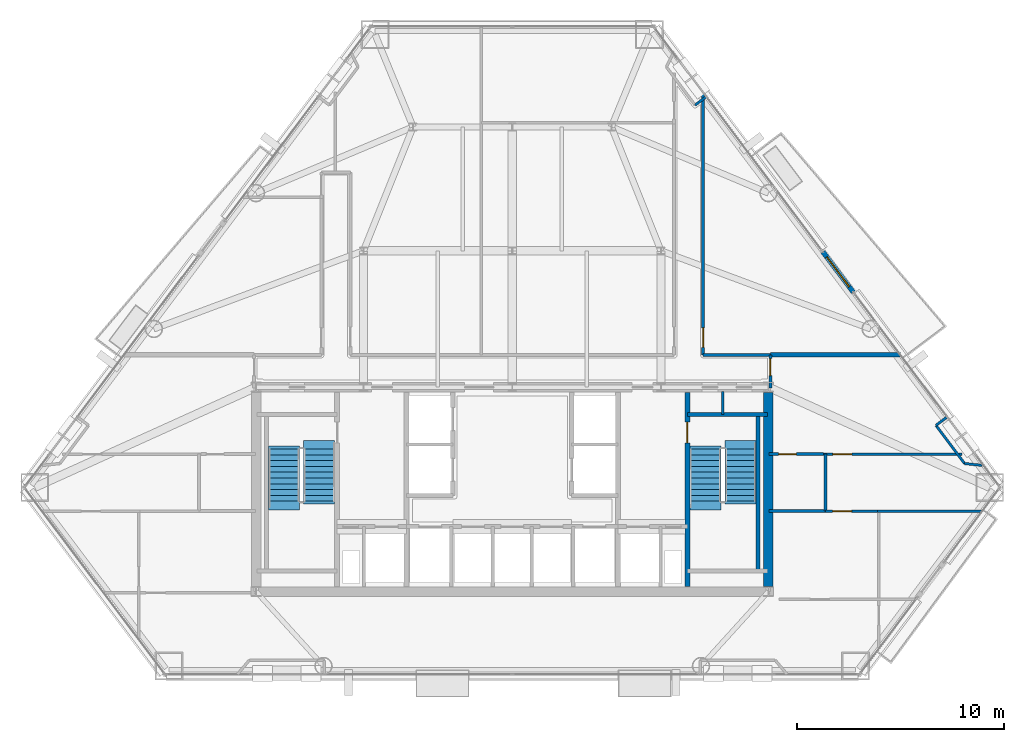
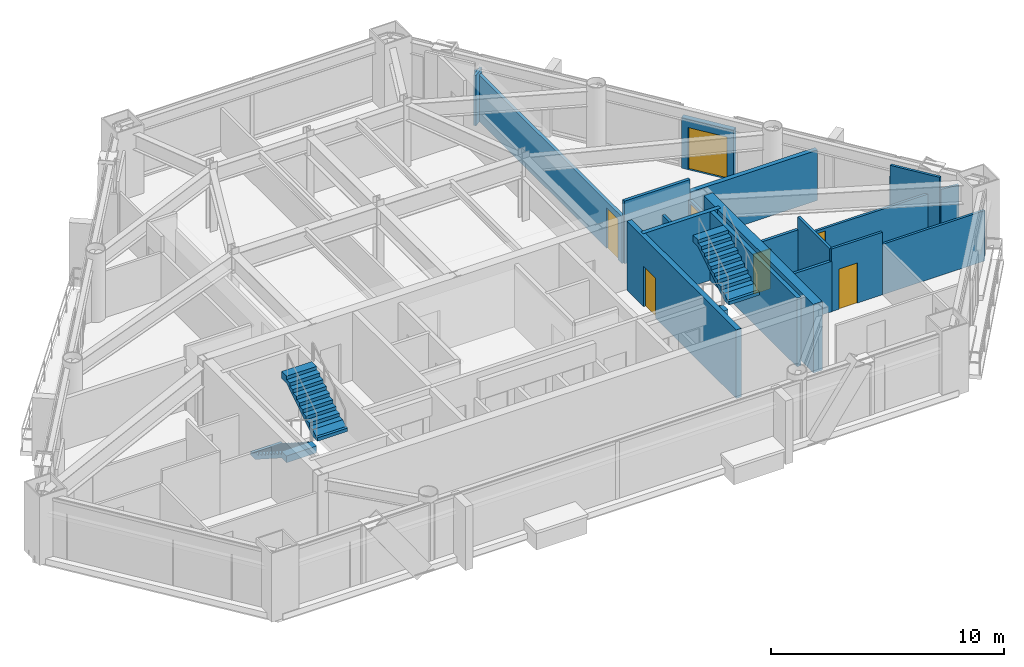
# One storey, part 8 of 10: 20 walls, 7 doors, 4 stair flights, 7 openings, 2 elements without a shape of their own.
"""IFC4 building model written with IfcOpenShell, lengths in metres."""

import ifcopenshell
import ifcopenshell.guid

model = None  # the IFC model being written
_history = None  # IfcOwnerHistory: only IFC2X3 demands one
_inside = {}  # id of a spatial element -> (the spatial element, [elements in it])
_under = {}  # id of a project, library or spatial element -> (it, [spatial elements below it])
_declared = {}  # id of a project -> (the project, [libraries it declares])
_typed = {}  # id of a type object -> (the type object, [elements of that type])
_made_of = {}  # id of a material, layer set ... -> (it, [elements and type objects made of it])


def new_model(schema):
    """Start an empty IFC model of exactly this schema.

    Asked for "IFC4X3", IfcOpenShell would pick the latest addendum, in which some entities
    have other attributes; the version numbers below select the first issue.
    IFC2X3 requires an IfcOwnerHistory on every rooted entity: one is made here for all.
    """
    global model, _history
    if schema == "IFC4X3":
        model = ifcopenshell.file(schema_version=(4, 3, 0, 0))
    else:
        model = ifcopenshell.file(schema=schema)
    _inside.clear()
    _under.clear()
    _declared.clear()
    _typed.clear()
    _made_of.clear()
    _history = None
    if model.schema == "IFC2X3":
        org = make("IfcOrganization", Name="unknown")
        user = make(
            "IfcPersonAndOrganization",
            ThePerson=make("IfcPerson", FamilyName="unknown"),
            TheOrganization=org,
        )
        app = make(
            "IfcApplication",
            ApplicationDeveloper=org,
            Version="unknown",
            ApplicationFullName="unknown",
            ApplicationIdentifier="unknown",
        )
        _history = make(
            "IfcOwnerHistory",
            OwningUser=user,
            OwningApplication=app,
            ChangeAction="ADDED",
            CreationDate=0,
        )
    return model


def make(cls, **values):
    """One entity of the class cls with the attributes given. An attribute that is None is left unset."""
    return model.create_entity(
        cls, **{name: value for name, value in values.items() if value is not None}
    )


def rooted(cls, **values):
    """An entity with a GlobalId (a new one), such as an element, a storey or a relation."""
    return make(cls, GlobalId=ifcopenshell.guid.new(), OwnerHistory=_history, **values)


def si_unit(unit_type, name, prefix=None):
    """IfcSIUnit, for example si_unit("LENGTHUNIT", "METRE", prefix="MILLI")."""
    return make("IfcSIUnit", UnitType=unit_type, Prefix=prefix, Name=name)


def assignment(units):
    """IfcUnitAssignment: the units of a project."""
    return None if units is None else make("IfcUnitAssignment", Units=units)


def point(xyz):
    """IfcCartesianPoint."""
    return None if xyz is None else make("IfcCartesianPoint", Coordinates=xyz)


def direction(xyz):
    """IfcDirection."""
    return None if xyz is None else make("IfcDirection", DirectionRatios=xyz)


def frame(location, z_axis=None, x_axis=None):
    """IfcAxis2Placement3D, a coordinate frame: its origin and axes. An axis left out is left unset."""
    return make(
        "IfcAxis2Placement3D",
        Location=point(location),
        Axis=direction(z_axis),
        RefDirection=direction(x_axis),
    )


def frame_2d(location, x_axis=None):
    """IfcAxis2Placement2D, a coordinate frame in the plane: its origin and x axis."""
    return make(
        "IfcAxis2Placement2D", Location=point(location), RefDirection=direction(x_axis)
    )


def origin():
    """The frame at (0, 0, 0) with its axes left unset."""
    return frame((0.0, 0.0, 0.0))


def place(relative_to, where):
    """IfcLocalPlacement: puts the frame where relative to a parent placement (None: the world)."""
    return make(
        "IfcLocalPlacement", PlacementRelTo=relative_to, RelativePlacement=where
    )


def context(
    kind, dimensions, precision=None, world=None, true_north=None, identifier=None
):
    """IfcGeometricRepresentationContext, for example the 3D "Model" context."""
    return make(
        "IfcGeometricRepresentationContext",
        ContextIdentifier=identifier,
        ContextType=kind,
        CoordinateSpaceDimension=dimensions,
        Precision=precision,
        WorldCoordinateSystem=world,
        TrueNorth=true_north,
    )


def subcontext(parent, identifier, kind, view, scale=None):
    """IfcGeometricRepresentationSubContext, for example "Body" below "Model"."""
    return make(
        "IfcGeometricRepresentationSubContext",
        ContextIdentifier=identifier,
        ContextType=kind,
        ParentContext=parent,
        TargetScale=scale,
        TargetView=view,
    )


def project(units=None, contexts=None):
    """IfcProject with its units and contexts."""
    return rooted(
        "IfcProject",
        Name="project",
        RepresentationContexts=contexts,
        UnitsInContext=assignment(units),
    )


def spatial(cls, under=None, at=None, **own):
    """A site, building, storey or space (cls), placed at a placement, below another one or the project."""
    s = rooted(cls, ObjectPlacement=at, **own)
    if under is not None:
        _under.setdefault(under.id(), (under, []))[1].append(s)
    return s


def polyline(points):
    """IfcPolyline through the points."""
    return make("IfcPolyline", Points=[point(p) for p in points])


def profile(cls, at=None, kind="AREA", **sizes):
    """A parametric profile (cls). Its sizes go by their IFC names, for example OverallWidth=200.0."""
    return make(cls, ProfileType=kind, Position=at, **sizes)


def rectangle(**sizes):
    """IfcRectangleProfileDef."""
    return profile("IfcRectangleProfileDef", **sizes)


def outline(outer, holes=None, kind="AREA"):
    """IfcArbitraryClosedProfileDef: a profile drawn as a closed curve; with holes, ...WithVoids."""
    if holes is None:
        return make("IfcArbitraryClosedProfileDef", ProfileType=kind, OuterCurve=outer)
    return make(
        "IfcArbitraryProfileDefWithVoids",
        ProfileType=kind,
        OuterCurve=outer,
        InnerCurves=holes,
    )


def extrude(swept, where, along, depth):
    """IfcExtrudedAreaSolid: the profile swept, set in the frame where, extruded along a direction by depth."""
    return make(
        "IfcExtrudedAreaSolid",
        SweptArea=swept,
        Position=where,
        ExtrudedDirection=direction(along),
        Depth=depth,
    )


def shape(context_of_items, identifier, shape_type, items):
    """IfcShapeRepresentation: the items that make up one representation, for example the "Body"."""
    return make(
        "IfcShapeRepresentation",
        ContextOfItems=context_of_items,
        RepresentationIdentifier=identifier,
        RepresentationType=shape_type,
        Items=items,
    )


def material(Name=None, Category=None):
    """IfcMaterial."""
    return make("IfcMaterial", Name=Name, Category=Category)


def layer(
    of_material, thickness, ventilated=None, Name=None, Category=None, Priority=None
):
    """IfcMaterialLayer: one layer of a wall or slab, of a material (None: an air gap)."""
    return make(
        "IfcMaterialLayer",
        Material=of_material,
        LayerThickness=thickness,
        IsVentilated=ventilated,
        Name=Name,
        Category=Category,
        Priority=Priority,
    )


def layer_set(layers, Name=None):
    """IfcMaterialLayerSet."""
    return make("IfcMaterialLayerSet", MaterialLayers=layers, LayerSetName=Name)


def made_of(thing, what):
    """Note that an element or type object is made of a material, layer set ...; save() writes the relation."""
    if what is not None:
        _made_of.setdefault(what.id(), (what, []))[1].append(thing)
    return thing


def type_object(cls, material=None, **own):
    """A type object (cls), such as IfcWallType, which elements share."""
    return made_of(rooted(cls, **own), material)


def element(
    cls,
    number,
    at=None,
    inside=None,
    cuts=None,
    type_object=None,
    material=None,
    context=None,
    identifier="Body",
    shape_type=None,
    held_by="IfcProductDefinitionShape",
    body=None,
    shapes=None,
    **own,
):
    """One element of the class cls, such as IfcWall. Its Tag is "e" and its number.

    at: its placement. inside: the storey or other place that contains it. cuts: it is an
    opening in that element (IfcRelVoidsElement). A single representation is given by context,
    identifier, shape_type and body (its items); several are given by shapes. held_by: the class
    of the entity that holds the representations. save() writes the other relations.
    """
    e = rooted(cls, Tag="e%d" % number, ObjectPlacement=at, **own)
    if body is not None:
        shapes = [shape(context, identifier, shape_type, body)]
    if shapes is not None:
        e.Representation = make(held_by, Representations=shapes)
    if inside is not None:
        _inside.setdefault(inside.id(), (inside, []))[1].append(e)
    if cuts is not None:
        rooted(
            "IfcRelVoidsElement", RelatingBuildingElement=cuts, RelatedOpeningElement=e
        )
    if type_object is not None:
        _typed.setdefault(type_object.id(), (type_object, []))[1].append(e)
    return made_of(e, material)


def fill(opening, filler):
    """IfcRelFillsElement: the door or window that sits in an opening."""
    return rooted(
        "IfcRelFillsElement",
        RelatingOpeningElement=opening,
        RelatedBuildingElement=filler,
    )


def aggregate(whole, parts):
    """IfcRelAggregates: a whole, such as a stair, and the parts it consists of."""
    return rooted("IfcRelAggregates", RelatingObject=whole, RelatedObjects=parts)


def save(model, path):
    """Write the relations noted so far, then the file.

    IfcRelAggregates (storeys below a building ...), IfcRelContainedInSpatialStructure (elements
    in a storey), IfcRelDefinesByType, IfcRelAssociatesMaterial and IfcRelDeclares: one each for
    every whole, place, type object, material and project.
    """
    for whole, parts in _under.values():
        aggregate(whole, parts)
    for where, things in _inside.values():
        rooted(
            "IfcRelContainedInSpatialStructure",
            RelatedElements=things,
            RelatingStructure=where,
        )
    for kind, things in _typed.values():
        rooted("IfcRelDefinesByType", RelatedObjects=things, RelatingType=kind)
    for what, things in _made_of.values():
        rooted("IfcRelAssociatesMaterial", RelatedObjects=things, RelatingMaterial=what)
    for by, libraries in _declared.values():
        rooted("IfcRelDeclares", RelatingContext=by, RelatedDefinitions=libraries)
    model.write(path)


model = new_model("IFC4")

# Units and contexts
model_context = context("Model", 3, precision=1e-05, world=origin(), true_north=direction((0.0, 1.0)))
body_context = subcontext(model_context, "Body", "Model", "MODEL_VIEW")
ifc_project = project(units=[si_unit("LENGTHUNIT", "METRE"), si_unit("AREAUNIT", "SQUARE_METRE"), si_unit("VOLUMEUNIT", "CUBIC_METRE"), si_unit("PLANEANGLEUNIT", "RADIAN"), si_unit("MASSUNIT", "GRAM", prefix="KILO")], contexts=[model_context])

# Site, building, storey
site_placement = place(None, origin())
site = spatial("IfcSite", under=ifc_project, at=site_placement, CompositionType="ELEMENT")
building_placement = place(site_placement, origin())
building = spatial("IfcBuilding", under=site, at=building_placement, Name="Talgorran Terracotta Tower", CompositionType="ELEMENT")
storey_placement = place(building_placement, frame((0.0, 0.0, 86.39990234375)))
storey = spatial("IfcBuildingStorey", under=building, at=storey_placement, Name="L22", CompositionType="ELEMENT", Elevation=86.39990234375)

# Wall, opening, door
ifc_material_1 = material(Name="Concrete C40/50", Category="concrete")
ifc_layer_1 = layer(ifc_material_1, 0.239990234375, Name="WT_BALCONY_SPAND")
ifc_layer_set_1 = layer_set([ifc_layer_1], Name="Concrete C40/50")
wall_type_1 = type_object("IfcWallType", Name="WT_BALCONY_SPAND", PredefinedType="STANDARD", material=ifc_layer_set_1)
wall_1_placement = place(storey_placement, frame((16.5078125, 0.4052734375, -0.014892578125), z_axis=(0.0, 0.0, 1.0), x_axis=(-0.601008208177, 0.799242850268, 0.0)))
wall_1 = element("IfcWall", 1, at=wall_1_placement, inside=storey, type_object=wall_type_1, Name="WL-L22-BALP-BAL-NE", PredefinedType="STANDARD", context=body_context, shape_type="SweptSolid", body=[
    extrude(rectangle(XDim=2.439697265625, YDim=0.239990234375, at=frame_2d((1.2197265625, 0.0))), origin(), (0.0, 0.0, 1.0), 2.658447265625),
])
opening_1_placement = place(wall_1_placement, frame((0.320068359375, 0.0, 0.014892578125)))
opening_1 = element("IfcOpeningElement", 2, at=opening_1_placement, cuts=wall_1, Name="Opening D-BAL-L22-1", PredefinedType="OPENING", context=body_context, shape_type="SweptSolid", body=[
    extrude(rectangle(XDim=1.806048828125, YDim=2.203951171875, at=frame_2d((0.89990234375, 1.10205078125))), frame((0.0, 0.1298828125, 0.0), z_axis=(0.0, -1.0, 0.0), x_axis=(1.0, 0.0, 0.0)), (0.0, 0.0, 1.0), 0.260009765625),
])
ifc_material_2 = material(Name="Thermally Broken Aluminium", Category="aluminium")
door_type_1 = type_object("IfcDoorType", Name="DT_BALC_1800", OperationType="SLIDING_TO_LEFT", PredefinedType="DOOR", material=ifc_material_2)
door_1_placement = place(opening_1_placement, origin())
door_1 = element("IfcDoor", 3, at=door_1_placement, inside=storey, type_object=door_type_1, Name="DR-L22-BAL-BAL-NE", OperationType="SLIDING_TO_LEFT", OverallHeight=2.199951171875, OverallWidth=1.800048828125, PredefinedType="DOOR", context=body_context, shape_type="SweptSolid", body=[
    extrude(rectangle(XDim=1.800048828125, YDim=2.199951171875, at=frame_2d((0.89990234375, 1.10009765625))), frame((0.0, 0.02490234375, 0.0), z_axis=(0.0, -1.0, 0.0), x_axis=(1.0, 0.0, 0.0)), (0.0, 0.0, 1.0), 0.050048828125),
])
fill(opening_1, door_1)

# Walls
ifc_material_3 = material(Name="Concrete C50/60", Category="concrete")
ifc_layer_2 = layer(ifc_material_3, 0.199951171875, Name="WT_CORE_200")
ifc_layer_set_2 = layer_set([ifc_layer_2], Name="Concrete C50/60")
wall_type_2 = type_object("IfcWallType", Name="WT_CORE_200", PredefinedType="SOLIDWALL", material=ifc_layer_set_2)
wall_2_placement = place(storey_placement, frame((8.47998046875, -5.52001953125, 0.0), z_axis=(0.0, 0.0, 1.0), x_axis=(1.0, 0.0, 0.0)))
element("IfcWall", 4, at=wall_2_placement, inside=storey, type_object=wall_type_2, Name="WL-L22-CW-ST2-N", PredefinedType="SOLIDWALL", context=body_context, shape_type="SweptSolid", body=[
    extrude(rectangle(XDim=3.8701171875, YDim=0.199951171875, at=frame_2d((1.93505859375, 0.0))), origin(), (0.0, 0.0, 1.0), 3.60009765625),
])
wall_3_placement = place(storey_placement, frame((11.89990234375, -13.10009765625, 0.0), z_axis=(0.0, 0.0, 1.0), x_axis=(0.0, 1.0, 0.0)))
element("IfcWall", 5, at=wall_3_placement, inside=storey, type_object=wall_type_2, Name="WL-L22-CW-ST2-E", PredefinedType="SOLIDWALL", context=body_context, shape_type="SweptSolid", body=[
    extrude(rectangle(XDim=7.580078125, YDim=0.199951171875, at=frame_2d((3.7900390625, 0.0))), origin(), (0.0, 0.0, 1.0), 3.60009765625),
])

# Wall, opening, door
ifc_layer_3 = layer(ifc_material_3, 0.25, Name="WT_CORE_250")
ifc_layer_set_3 = layer_set([ifc_layer_3], Name="Concrete C50/60")
wall_type_3 = type_object("IfcWallType", Name="WT_CORE_250", PredefinedType="SHEAR", material=ifc_layer_set_3)
wall_4_placement = place(storey_placement, frame((8.47998046875, -13.85009765625, 0.0), z_axis=(0.0, 0.0, 1.0), x_axis=(0.0, 1.0, 0.0)))
wall_4 = element("IfcWall", 6, at=wall_4_placement, inside=storey, type_object=wall_type_3, Name="WL-L22-CW-V-E1", PredefinedType="SHEAR", context=body_context, shape_type="SweptSolid", body=[
    extrude(rectangle(XDim=9.400146484375, YDim=0.25, at=frame_2d((4.7001953125, 0.0))), origin(), (0.0, 0.0, 1.0), 3.60009765625),
])
opening_2_placement = place(wall_4_placement, frame((6.949951171875, 0.0, 0.0)))
opening_2 = element("IfcOpeningElement", 7, at=opening_2_placement, cuts=wall_4, Name="Opening DR-ST02", PredefinedType="OPENING", context=body_context, shape_type="SweptSolid", body=[
    extrude(rectangle(XDim=1.006, YDim=2.10409765625, at=frame_2d((0.5, 1.052001953125))), frame((0.0, 0.135009765625, 0.0), z_axis=(0.0, -1.0, 0.0), x_axis=(1.0, 0.0, 0.0)), (0.0, 0.0, 1.0), 0.27001953125),
])
ifc_material_4 = material(Name="Fire-Rated Pressed Steel", Category="steel")
door_type_2 = type_object("IfcDoorType", Name="DT_FIRE_1000", OperationType="NOTDEFINED", PredefinedType="DOOR", material=ifc_material_4)
door_2_placement = place(opening_2_placement, origin())
door_2 = element("IfcDoor", 8, at=door_2_placement, inside=storey, type_object=door_type_2, Name="DR-ST02", OperationType="SINGLE_SWING_RIGHT", OverallHeight=2.10009765625, OverallWidth=1.0, PredefinedType="DOOR", context=body_context, shape_type="SweptSolid", body=[
    extrude(rectangle(XDim=1.0, YDim=2.10009765625, at=frame_2d((0.5, 1.050048828125))), frame((0.0, 0.02490234375, 0.0), z_axis=(0.0, -1.0, 0.0), x_axis=(1.0, 0.0, 0.0)), (0.0, 0.0, 1.0), 0.050048828125),
])
fill(opening_2, door_2)

# Wall
ifc_material_5 = material(Name="Concrete C65/80", Category="concrete")
ifc_layer_4 = layer(ifc_material_5, 0.449951171875, Name="WT_CORE_EXT")
ifc_layer_set_4 = layer_set([ifc_layer_4], Name="Concrete C65/80")
wall_type_4 = type_object("IfcWallType", Name="WT_CORE_EXT", PredefinedType="SHEAR", material=ifc_layer_set_4)
wall_5_placement = place(storey_placement, frame((12.39990234375, -13.85009765625, 0.0), z_axis=(0.0, 0.0, 1.0), x_axis=(0.0, 1.0, 0.0)))
element("IfcWall", 9, at=wall_5_placement, inside=storey, type_object=wall_type_4, Name="WL-L22-CW-OUT-E", PredefinedType="SHEAR", context=body_context, shape_type="SweptSolid", body=[
    extrude(rectangle(XDim=9.400146484375, YDim=0.449951171875, at=frame_2d((4.7001953125, 0.0))), origin(), (0.0, 0.0, 1.0), 3.60009765625),
])

# Wall, opening, door
ifc_material_6 = material(Name="Fire-Rated Steel Stud Plasterboard", Category="steel")
ifc_layer_5 = layer(ifc_material_6, 0.14990234375, Name="WT_FIRE_150")
ifc_layer_set_5 = layer_set([ifc_layer_5], Name="Fire-Rated Steel Stud Plasterboard")
wall_type_5 = type_object("IfcWallType", Name="WT_FIRE_150", PredefinedType="PARTITIONING", material=ifc_layer_set_5)
wall_6_placement = place(storey_placement, frame((9.239990234375, -2.639892578125, 0.0), z_axis=(0.0, 0.0, 1.0), x_axis=(0.0, 1.0, 0.0)))
wall_6 = element("IfcWall", 10, at=wall_6_placement, inside=storey, type_object=wall_type_5, Name="WL-L22-W-L22-R12", PredefinedType="PARTITIONING", context=body_context, shape_type="SweptSolid", body=[
    extrude(rectangle(XDim=12.709228515625, YDim=0.14990234375, at=frame_2d((6.3544921875, 0.0))), origin(), (0.0, 0.0, 1.0), 2.439208984375),
])
opening_3_placement = place(wall_6_placement, frame((0.35986328125, 0.0, 0.0)))
opening_3 = element("IfcOpeningElement", 11, at=opening_3_placement, cuts=wall_6, Name="Opening DR-L22-R15", PredefinedType="OPENING", context=body_context, shape_type="SweptSolid", body=[
    extrude(rectangle(XDim=0.955951171875, YDim=2.10409765625, at=frame_2d((0.47509765625, 1.052001953125))), frame((0.0, 0.0849609375, 0.0), z_axis=(0.0, -1.0, 0.0), x_axis=(1.0, 0.0, 0.0)), (0.0, 0.0, 1.0), 0.169921875),
])
ifc_material_7 = material(Name="Fire-Rated Timber Core", Category="wood")
door_type_3 = type_object("IfcDoorType", Name="DT_FIRE_950", OperationType="NOTDEFINED", PredefinedType="DOOR", material=ifc_material_7)
door_3_placement = place(opening_3_placement, origin())
door_3 = element("IfcDoor", 12, at=door_3_placement, inside=storey, type_object=door_type_3, Name="DR-L22-R15", OperationType="SINGLE_SWING_LEFT", OverallHeight=2.10009765625, OverallWidth=0.949951171875, PredefinedType="DOOR", context=body_context, shape_type="SweptSolid", body=[
    extrude(rectangle(XDim=0.949951171875, YDim=2.10009765625, at=frame_2d((0.47509765625, 1.050048828125))), frame((0.0, 0.02490234375, 0.0), z_axis=(0.0, -1.0, 0.0), x_axis=(1.0, 0.0, 0.0)), (0.0, 0.0, 1.0), 0.050048828125),
])
fill(opening_3, door_3)

# Wall
wall_7_placement = place(storey_placement, frame((9.239990234375, -2.639892578125, 0.0), z_axis=(0.0, 0.0, 1.0), x_axis=(1.0, 0.0, 0.0)))
element("IfcWall", 13, at=wall_7_placement, inside=storey, type_object=wall_type_5, Name="WL-L22-W-L22-R13", PredefinedType="PARTITIONING", context=body_context, shape_type="SweptSolid", body=[
    extrude(rectangle(XDim=3.260009765625, YDim=0.14990234375, at=frame_2d((1.6298828125, 0.0))), origin(), (0.0, 0.0, 1.0), 3.280029296875),
])

# Wall, opening, door
wall_8_placement = place(storey_placement, frame((12.5, -4.239990234375, 0.0), z_axis=(0.0, 0.0, 1.0), x_axis=(0.0, 1.0, 0.0)))
wall_8 = element("IfcWall", 14, at=wall_8_placement, inside=storey, type_object=wall_type_5, Name="WL-L22-W-L22-R02", PredefinedType="PARTITIONING", context=body_context, shape_type="SweptSolid", body=[
    extrude(rectangle(XDim=1.60009765625, YDim=0.14990234375, at=frame_2d((0.800048828125, 0.0))), origin(), (0.0, 0.0, 1.0), 2.255126953125),
])
opening_4_placement = place(wall_8_placement, frame((0.602294921875, 0.0, 0.0)))
opening_4 = element("IfcOpeningElement", 15, at=opening_4_placement, cuts=wall_8, Name="Opening DR-L22-R06", PredefinedType="OPENING", context=body_context, shape_type="SweptSolid", body=[
    extrude(rectangle(XDim=0.826068359375, YDim=2.10409765625, at=frame_2d((0.41015625, 1.052001953125))), frame((0.0, 0.0849609375, 0.0), z_axis=(0.0, -1.0, 0.0), x_axis=(1.0, 0.0, 0.0)), (0.0, 0.0, 1.0), 0.169921875),
])
ifc_material_8 = material(Name="Moisture-Resistant Solid Timber", Category="wood")
door_type_4 = type_object("IfcDoorType", Name="DT_INT_820", OperationType="NOTDEFINED", PredefinedType="DOOR", material=ifc_material_8)
door_4_placement = place(opening_4_placement, origin())
door_4 = element("IfcDoor", 16, at=door_4_placement, inside=storey, type_object=door_type_4, Name="DR-L22-R06", OperationType="SINGLE_SWING_RIGHT", OverallHeight=2.10009765625, OverallWidth=0.820068359375, PredefinedType="DOOR", context=body_context, shape_type="SweptSolid", body=[
    extrude(rectangle(XDim=0.820068359375, YDim=2.10009765625, at=frame_2d((0.41015625, 1.050048828125))), frame((0.0, 0.02490234375, 0.0), z_axis=(0.0, -1.0, 0.0), x_axis=(1.0, 0.0, 0.0)), (0.0, 0.0, 1.0), 0.050048828125),
])
fill(opening_4, door_4)

# Walls
ifc_material_9 = material(Name="Acoustic Masonry and Plasterboard", Category="masonry")
ifc_layer_6 = layer(ifc_material_9, 0.219970703125, Name="WT_PARTY_220")
ifc_layer_set_6 = layer_set([ifc_layer_6], Name="Acoustic Masonry and Plasterboard")
wall_type_6 = type_object("IfcWallType", Name="WT_PARTY_220", PredefinedType="PARTITIONING", material=ifc_layer_set_6)
wall_9_placement = place(storey_placement, frame((12.5, -2.639892578125, 0.0), z_axis=(0.0, 0.0, 1.0), x_axis=(1.0, 0.0, 0.0)))
element("IfcWall", 17, at=wall_9_placement, inside=storey, type_object=wall_type_6, Name="WL-L22-W-L22-R26", PredefinedType="PARTITIONING", context=body_context, shape_type="SweptSolid", body=[
    extrude(rectangle(XDim=6.298095703125, YDim=0.219970703125, at=frame_2d((3.14892578125, 0.0))), origin(), (0.0, 0.0, 1.0), 2.6435546875),
])
ifc_material_10 = material(Name="Insulated Steel Stud Plasterboard", Category="steel")
ifc_layer_7 = layer(ifc_material_10, 0.1201171875, Name="WT_PART_120")
ifc_layer_set_7 = layer_set([ifc_layer_7], Name="Insulated Steel Stud Plasterboard")
wall_type_7 = type_object("IfcWallType", Name="WT_PART_120", PredefinedType="PARTITIONING", material=ifc_layer_set_7)
wall_10_placement = place(storey_placement, frame((10.199951171875, -5.52001953125, 0.0), z_axis=(0.0, 0.0, 1.0), x_axis=(0.0, 1.0, 0.0)))
element("IfcWall", 18, at=wall_10_placement, inside=storey, type_object=wall_type_7, Name="WL-L22-CW-CSE-DIV", PredefinedType="PARTITIONING", context=body_context, shape_type="SweptSolid", body=[
    extrude(rectangle(XDim=1.1201171875, YDim=0.1201171875, at=frame_2d((0.56005859375, 0.0))), origin(), (0.0, 0.0, 1.0), 3.280029296875),
])

# Wall, opening, door
wall_11_placement = place(storey_placement, frame((15.080078125, -7.43994140625, 0.0), z_axis=(0.0, 0.0, 1.0), x_axis=(1.0, 0.0, 0.0)))
wall_11 = element("IfcWall", 19, at=wall_11_placement, inside=storey, type_object=wall_type_7, Name="WL-L22-W-L22-R25", PredefinedType="PARTITIONING", context=body_context, shape_type="SweptSolid", body=[
    extrude(rectangle(XDim=6.699951171875, YDim=0.1201171875, at=frame_2d((3.35009765625, 0.0))), origin(), (0.0, 0.0, 1.0), 2.255126953125),
])
opening_5_placement = place(wall_11_placement, frame((0.43994140625, 0.0, 0.0)))
opening_5 = element("IfcOpeningElement", 20, at=opening_5_placement, cuts=wall_11, Name="Opening DR-L22-R08", PredefinedType="OPENING", context=body_context, shape_type="SweptSolid", body=[
    extrude(rectangle(XDim=0.925921875, YDim=2.10409765625, at=frame_2d((0.4599609375, 1.052001953125))), frame((0.0, 0.070068359375, 0.0), z_axis=(0.0, -1.0, 0.0), x_axis=(1.0, 0.0, 0.0)), (0.0, 0.0, 1.0), 0.14013671875),
])
ifc_material_11 = material(Name="Solid-Core Painted Timber", Category="wood")
door_type_5 = type_object("IfcDoorType", Name="DT_INT_920", OperationType="NOTDEFINED", PredefinedType="DOOR", material=ifc_material_11)
door_5_placement = place(opening_5_placement, origin())
door_5 = element("IfcDoor", 21, at=door_5_placement, inside=storey, type_object=door_type_5, Name="DR-L22-R08", OperationType="SINGLE_SWING_RIGHT", OverallHeight=2.10009765625, OverallWidth=0.919921875, PredefinedType="DOOR", context=body_context, shape_type="SweptSolid", body=[
    extrude(rectangle(XDim=0.919921875, YDim=2.10009765625, at=frame_2d((0.4599609375, 1.050048828125))), frame((0.0, 0.02490234375, 0.0), z_axis=(0.0, -1.0, 0.0), x_axis=(1.0, 0.0, 0.0)), (0.0, 0.0, 1.0), 0.050048828125),
])
fill(opening_5, door_5)

# Wall
wall_12_placement = place(storey_placement, frame((17.679931640625, -10.199951171875, 0.0), z_axis=(0.0, 0.0, 1.0), x_axis=(1.0, 0.0, 0.0)))
element("IfcWall", 22, at=wall_12_placement, inside=storey, type_object=wall_type_7, Name="WL-L22-W-L22-R30", PredefinedType="PARTITIONING", context=body_context, shape_type="SweptSolid", body=[
    extrude(rectangle(XDim=5.076416015625, YDim=0.1201171875, at=frame_2d((2.5380859375, 0.0))), origin(), (0.0, 0.0, 1.0), 2.6435546875),
])

# Wall, opening, door
wall_13_placement = place(storey_placement, frame((15.159912109375, -10.199951171875, 0.0), z_axis=(0.0, 0.0, 1.0), x_axis=(1.0, 0.0, 0.0)))
wall_13 = element("IfcWall", 23, at=wall_13_placement, inside=storey, type_object=wall_type_7, Name="WL-L22-W-L22-R29", PredefinedType="PARTITIONING", context=body_context, shape_type="SweptSolid", body=[
    extrude(rectangle(XDim=2.51806640625, YDim=0.1201171875, at=frame_2d((1.259033203125, 0.0))), origin(), (0.0, 0.0, 1.0), 3.280029296875),
])
opening_6_placement = place(wall_13_placement, frame((0.353759765625, 0.0, 0.0)))
opening_6 = element("IfcOpeningElement", 24, at=opening_6_placement, cuts=wall_13, Name="Opening DR-L22-R18", PredefinedType="OPENING", context=body_context, shape_type="SweptSolid", body=[
    extrude(rectangle(XDim=0.925921875, YDim=2.10409765625, at=frame_2d((0.4599609375, 1.052001953125))), frame((0.0, 0.070068359375, 0.0), z_axis=(0.0, -1.0, 0.0), x_axis=(1.0, 0.0, 0.0)), (0.0, 0.0, 1.0), 0.14013671875),
])
door_6_placement = place(opening_6_placement, origin())
door_6 = element("IfcDoor", 25, at=door_6_placement, inside=storey, type_object=door_type_5, Name="DR-L22-R18", OperationType="SINGLE_SWING_RIGHT", OverallHeight=2.10009765625, OverallWidth=0.919921875, PredefinedType="DOOR", context=body_context, shape_type="SweptSolid", body=[
    extrude(rectangle(XDim=0.919921875, YDim=2.10009765625, at=frame_2d((0.4599609375, 1.050048828125))), frame((0.0, 0.02490234375, 0.0), z_axis=(0.0, -1.0, 0.0), x_axis=(1.0, 0.0, 0.0)), (0.0, 0.0, 1.0), 0.050048828125),
])
fill(opening_6, door_6)

# Walls
wall_14_placement = place(storey_placement, frame((21.90185546875, -7.8984375, 0.0), z_axis=(0.0, 0.0, 1.0), x_axis=(-0.601114822283, 0.799162668317, 0.0)))
element("IfcWall", 26, at=wall_14_placement, inside=storey, type_object=wall_type_7, Name="WL-L22-BW-L22-13", PredefinedType="PARTITIONING", context=body_context, shape_type="SweptSolid", body=[
    extrude(rectangle(XDim=2.311279296875, YDim=0.1201171875, at=frame_2d((1.15576171875, 0.0))), origin(), (0.0, 0.0, 1.0), 3.280029296875),
])
wall_15_placement = place(storey_placement, frame((22.74560546875, -7.98828125, 0.0), z_axis=(0.0, 0.0, 1.0), x_axis=(-0.99437860496, 0.10588290701, 0.0)))
element("IfcWall", 27, at=wall_15_placement, inside=storey, type_object=wall_type_7, Name="WL-L22-BW-L22-12", PredefinedType="PARTITIONING", context=body_context, shape_type="SweptSolid", body=[
    extrude(rectangle(XDim=0.8486328125, YDim=0.1201171875, at=frame_2d((0.42431640625, 0.0))), origin(), (0.0, 0.0, 1.0), 2.6435546875),
])
for number, where, z_axis, x_axis, name in (
    (28, (20.512451171875, -6.05126953125, 0.0), (0.0, 0.0, 1.0), (0.799212484873, 0.601048587074, 0.0), "WL-L22-BW-L22-11"),
    (29, (9.38671875, 9.85791015625, 0.0), (0.0, 0.0, 1.0), (-0.799212484873, -0.601048587074, 0.0), "WL-L22-BW-L22-17"),
):
    element("IfcWall", number, at=place(storey_placement, frame(where, z_axis=z_axis, x_axis=x_axis)), inside=storey, type_object=wall_type_7, Name=name, PredefinedType="PARTITIONING", context=body_context, shape_type="SweptSolid", body=[
        extrude(rectangle(XDim=0.670166015625, YDim=0.1201171875, at=frame_2d((0.3349609375, 0.0))), origin(), (0.0, 0.0, 1.0), 2.6435546875),
    ])

# Wall, opening, door
ifc_material_12 = material(Name="Moisture-Resistant Stud Wall")
ifc_layer_8 = layer(ifc_material_12, 0.135009765625, Name="WT_PART_135")
ifc_layer_set_8 = layer_set([ifc_layer_8], Name="Moisture-Resistant Stud Wall")
wall_type_8 = type_object("IfcWallType", Name="WT_PART_135", PredefinedType="PARTITIONING", material=ifc_layer_set_8)
wall_16_placement = place(storey_placement, frame((12.43994140625, -7.43994140625, 0.0), z_axis=(0.0, 0.0, 1.0), x_axis=(1.0, 0.0, 0.0)))
wall_16 = element("IfcWall", 30, at=wall_16_placement, inside=storey, type_object=wall_type_8, Name="WL-L22-W-L22-R24", PredefinedType="PARTITIONING", context=body_context, shape_type="SweptSolid", body=[
    extrude(rectangle(XDim=2.637939453125, YDim=0.135009765625, at=frame_2d((1.31884765625, 0.0))), origin(), (0.0, 0.0, 1.0), 2.6435546875),
])
opening_7_placement = place(wall_16_placement, frame((0.458251953125, 0.0, 0.0)))
opening_7 = element("IfcOpeningElement", 31, at=opening_7_placement, cuts=wall_16, Name="Opening DR-L22-R07", PredefinedType="OPENING", context=body_context, shape_type="SweptSolid", body=[
    extrude(rectangle(XDim=0.85609765625, YDim=2.10409765625, at=frame_2d((0.425048828125, 1.052001953125))), frame((0.0, 0.07763671875, 0.0), z_axis=(0.0, -1.0, 0.0), x_axis=(1.0, 0.0, 0.0)), (0.0, 0.0, 1.0), 0.155029296875),
])
door_type_6 = type_object("IfcDoorType", Name="DT_INT_850", OperationType="NOTDEFINED", PredefinedType="DOOR", material=ifc_material_8)
door_7_placement = place(opening_7_placement, origin())
door_7 = element("IfcDoor", 32, at=door_7_placement, inside=storey, type_object=door_type_6, Name="DR-L22-R07", OperationType="SINGLE_SWING_LEFT", OverallHeight=2.10009765625, OverallWidth=0.85009765625, PredefinedType="DOOR", context=body_context, shape_type="SweptSolid", body=[
    extrude(rectangle(XDim=0.85009765625, YDim=2.10009765625, at=frame_2d((0.425048828125, 1.050048828125))), frame((0.0, 0.02490234375, 0.0), z_axis=(0.0, -1.0, 0.0), x_axis=(1.0, 0.0, 0.0)), (0.0, 0.0, 1.0), 0.050048828125),
])
fill(opening_7, door_7)

# Walls
wall_17_placement = place(storey_placement, frame((15.159912109375, -10.199951171875, 0.0), z_axis=(0.0, 0.0, 1.0), x_axis=(0.0, 1.0, 0.0)))
element("IfcWall", 33, at=wall_17_placement, inside=storey, type_object=wall_type_8, Name="WL-L22-W-L22-R27", PredefinedType="PARTITIONING", context=body_context, shape_type="SweptSolid", body=[
    extrude(rectangle(XDim=2.760009765625, YDim=0.135009765625, at=frame_2d((1.3798828125, 0.0))), origin(), (0.0, 0.0, 1.0), 3.280029296875),
])
wall_18_placement = place(storey_placement, frame((12.43994140625, -10.199951171875, 0.0), z_axis=(0.0, 0.0, 1.0), x_axis=(1.0, 0.0, 0.0)))
element("IfcWall", 34, at=wall_18_placement, inside=storey, type_object=wall_type_8, Name="WL-L22-W-L22-R28", PredefinedType="PARTITIONING", context=body_context, shape_type="SweptSolid", body=[
    extrude(rectangle(XDim=2.719970703125, YDim=0.135009765625, at=frame_2d((1.35986328125, 0.0))), origin(), (0.0, 0.0, 1.0), 2.6435546875),
])

# Stair, stair flights
stair_type = type_object("IfcStairType", Name="ST_FIRE_SCISSOR", PredefinedType="HALF_TURN_STAIR", material=ifc_material_1)
stair_1_placement = place(storey_placement, origin())
stair_1 = element("IfcStair", 35, at=stair_1_placement, inside=storey, type_object=stair_type, Name="L22 West Protected Fire Stair ST-01", PredefinedType="HALF_TURN_STAIR")
ifc_layer_9 = layer(ifc_material_1, 0.179931640625, Name="STF_RC_1500")
ifc_layer_set_9 = layer_set([ifc_layer_9], Name="Concrete C40/50")
stair_flight_type = type_object("IfcStairFlightType", Name="STF_RC_1500", PredefinedType="STRAIGHT", material=ifc_layer_set_9)
stair_flight_1_placement = place(storey_placement, frame((-11.050048828125, -7.199951171875, 0.0), z_axis=(0.0, 0.0, 1.0), x_axis=(0.0, -1.0, 0.0)))
stair_flight_1 = element("IfcStairFlight", 36, at=stair_flight_1_placement, type_object=stair_flight_type, Name="ST-01 flight 1", NumberOfRisers=10, NumberOfTreads=9, PredefinedType="STRAIGHT", RiserHeight=0.18, TreadLength=0.28, context=body_context, shape_type="SweptSolid", body=[
    extrude(outline(polyline([(-0.139892578125, 0.0), (-0.139892578125, 0.179931640625), (0.0, 0.179931640625), (0.280029296875, 0.360107421875), (0.56005859375, 0.360107421875), (0.56005859375, 0.5400390625), (0.840087890625, 0.5400390625), (0.840087890625, 0.719970703125), (1.1201171875, 0.719970703125), (1.1201171875, 0.89990234375), (1.39990234375, 0.89990234375), (1.39990234375, 1.080078125), (1.679931640625, 1.080078125), (1.679931640625, 1.260009765625), (1.9599609375, 1.260009765625), (1.9599609375, 1.43994140625), (2.239990234375, 1.43994140625), (2.239990234375, 1.6201171875), (2.52001953125, 1.6201171875), (2.52001953125, 1.800048828125), (2.93994140625, 1.800048828125), (2.93994140625, 1.44189453125), (2.52001953125, 1.44189453125), (0.277099609375, 0.0), (-0.139892578125, 0.0)])), frame((0.0, 0.75, 0.0), z_axis=(0.0, -1.0, 0.0), x_axis=(1.0, 0.0, 0.0)), (0.0, 0.0, 1.0), 1.5),
])
stair_flight_2_placement = place(storey_placement, frame((-9.35009765625, -9.719970703125, 1.800048828125), z_axis=(0.0, 0.0, 1.0), x_axis=(0.0, 1.0, 0.0)))
stair_flight_2 = element("IfcStairFlight", 37, at=stair_flight_2_placement, type_object=stair_flight_type, Name="ST-01 flight 2", NumberOfRisers=10, NumberOfTreads=9, PredefinedType="STRAIGHT", RiserHeight=0.18, TreadLength=0.28, context=body_context, shape_type="SweptSolid", body=[
    extrude(outline(polyline([(-0.139892578125, 0.0), (-0.139892578125, 0.179931640625), (0.0, 0.179931640625), (0.280029296875, 0.360107421875), (0.56005859375, 0.360107421875), (0.56005859375, 0.5400390625), (0.840087890625, 0.5400390625), (0.840087890625, 0.719970703125), (1.1201171875, 0.719970703125), (1.1201171875, 0.89990234375), (1.39990234375, 0.89990234375), (1.39990234375, 1.080078125), (1.679931640625, 1.080078125), (1.679931640625, 1.260009765625), (1.9599609375, 1.260009765625), (1.9599609375, 1.43994140625), (2.239990234375, 1.43994140625), (2.239990234375, 1.6201171875), (2.52001953125, 1.6201171875), (2.52001953125, 1.800048828125), (2.93994140625, 1.800048828125), (2.93994140625, 1.44189453125), (2.52001953125, 1.44189453125), (0.277099609375, 0.0), (-0.139892578125, 0.0)])), frame((0.0, 0.75, 0.0), z_axis=(0.0, -1.0, 0.0), x_axis=(1.0, 0.0, 0.0)), (0.0, 0.0, 1.0), 1.5),
])
aggregate(stair_1, [stair_flight_1, stair_flight_2])

stair_2_placement = place(storey_placement, origin())
stair_2 = element("IfcStair", 38, at=stair_2_placement, inside=storey, type_object=stair_type, Name="L22 East Protected Fire Stair ST-02", PredefinedType="HALF_TURN_STAIR")
stair_flight_3_placement = place(storey_placement, frame((9.35009765625, -7.199951171875, 0.0), z_axis=(0.0, 0.0, 1.0), x_axis=(0.0, -1.0, 0.0)))
stair_flight_3 = element("IfcStairFlight", 39, at=stair_flight_3_placement, type_object=stair_flight_type, Name="ST-02 flight 1", NumberOfRisers=10, NumberOfTreads=9, PredefinedType="STRAIGHT", RiserHeight=0.18, TreadLength=0.28, context=body_context, shape_type="SweptSolid", body=[
    extrude(outline(polyline([(-0.139892578125, 0.0), (-0.139892578125, 0.179931640625), (0.0, 0.179931640625), (0.280029296875, 0.360107421875), (0.56005859375, 0.360107421875), (0.56005859375, 0.5400390625), (0.840087890625, 0.5400390625), (0.840087890625, 0.719970703125), (1.1201171875, 0.719970703125), (1.1201171875, 0.89990234375), (1.39990234375, 0.89990234375), (1.39990234375, 1.080078125), (1.679931640625, 1.080078125), (1.679931640625, 1.260009765625), (1.9599609375, 1.260009765625), (1.9599609375, 1.43994140625), (2.239990234375, 1.43994140625), (2.239990234375, 1.6201171875), (2.52001953125, 1.6201171875), (2.52001953125, 1.800048828125), (2.93994140625, 1.800048828125), (2.93994140625, 1.44189453125), (2.52001953125, 1.44189453125), (0.277099609375, 0.0), (-0.139892578125, 0.0)])), frame((0.0, 0.75, 0.0), z_axis=(0.0, -1.0, 0.0), x_axis=(1.0, 0.0, 0.0)), (0.0, 0.0, 1.0), 1.5),
])
stair_flight_4_placement = place(storey_placement, frame((11.050048828125, -9.719970703125, 1.800048828125), z_axis=(0.0, 0.0, 1.0), x_axis=(0.0, 1.0, 0.0)))
stair_flight_4 = element("IfcStairFlight", 40, at=stair_flight_4_placement, type_object=stair_flight_type, Name="ST-02 flight 2", NumberOfRisers=10, NumberOfTreads=9, PredefinedType="STRAIGHT", RiserHeight=0.18, TreadLength=0.28, context=body_context, shape_type="SweptSolid", body=[
    extrude(outline(polyline([(-0.139892578125, 0.0), (-0.139892578125, 0.179931640625), (0.0, 0.179931640625), (0.280029296875, 0.360107421875), (0.56005859375, 0.360107421875), (0.56005859375, 0.5400390625), (0.840087890625, 0.5400390625), (0.840087890625, 0.719970703125), (1.1201171875, 0.719970703125), (1.1201171875, 0.89990234375), (1.39990234375, 0.89990234375), (1.39990234375, 1.080078125), (1.679931640625, 1.080078125), (1.679931640625, 1.260009765625), (1.9599609375, 1.260009765625), (1.9599609375, 1.43994140625), (2.239990234375, 1.43994140625), (2.239990234375, 1.6201171875), (2.52001953125, 1.6201171875), (2.52001953125, 1.800048828125), (2.93994140625, 1.800048828125), (2.93994140625, 1.44189453125), (2.52001953125, 1.44189453125), (0.277099609375, 0.0), (-0.139892578125, 0.0)])), frame((0.0, 0.75, 0.0), z_axis=(0.0, -1.0, 0.0), x_axis=(1.0, 0.0, 0.0)), (0.0, 0.0, 1.0), 1.5),
])
aggregate(stair_2, [stair_flight_3, stair_flight_4])

save(model, "model.ifc")
